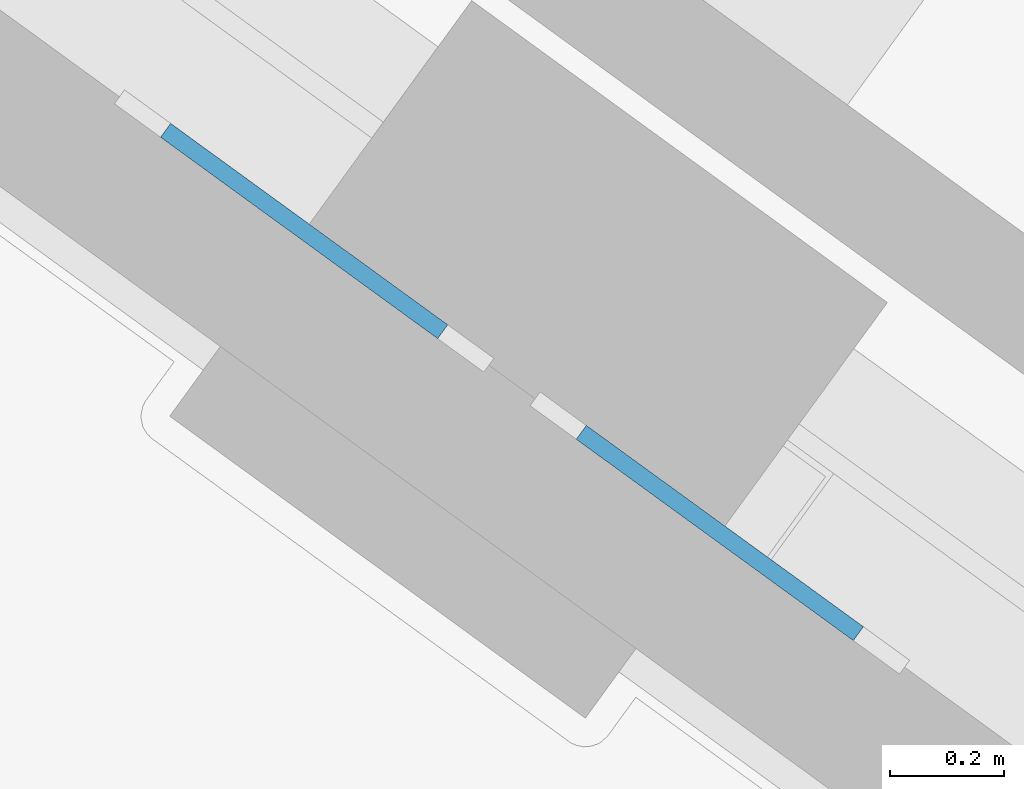
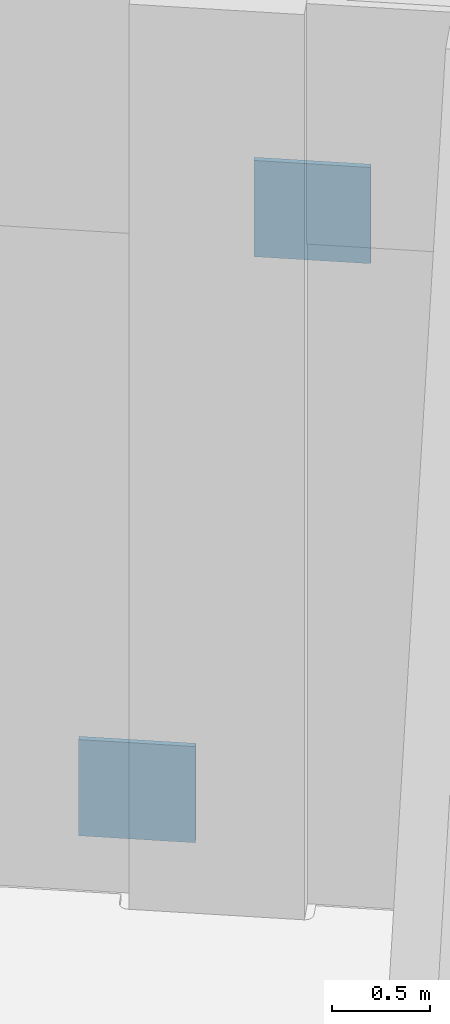
# One storey, part 8 of 16: 2 plates.
"""IFC4 building model written with IfcOpenShell, lengths in metres."""

from ifc_helpers import new_model, si_unit, direction, frame, origin, origin_2d, place, context, subcontext, project, spatial, rectangle, extrude, material, layer, layer_set, type_object, element, save


model = new_model("IFC4")

# Units and contexts
model_context = context("Model", 3, precision=1e-05, world=origin(), true_north=direction((0.0, 1.0)))
body_context = subcontext(model_context, "Body", "Model", "MODEL_VIEW")
ifc_project = project(units=[si_unit("LENGTHUNIT", "METRE"), si_unit("AREAUNIT", "SQUARE_METRE"), si_unit("VOLUMEUNIT", "CUBIC_METRE"), si_unit("PLANEANGLEUNIT", "RADIAN"), si_unit("MASSUNIT", "GRAM", prefix="KILO")], contexts=[model_context])

# Site, building, storey
site_placement = place(None, origin())
site = spatial("IfcSite", under=ifc_project, at=site_placement, CompositionType="ELEMENT")
building_placement = place(site_placement, origin())
building = spatial("IfcBuilding", under=site, at=building_placement, Name="Quipu Civic Tower", CompositionType="ELEMENT")
storey_placement = place(building_placement, frame((0.0, 0.0, 188.0)))
storey = spatial("IfcBuildingStorey", under=building, at=storey_placement, Name="L44", CompositionType="ELEMENT", Elevation=188.0)

# Plates
ifc_material = material(Name="Steel ASTM A572 Grade 50 (fy 345 MPa)", Category="steel")
ifc_layer = layer(ifc_material, 0.030029296875)
ifc_layer_set = layer_set([ifc_layer], Name="Steel ASTM A572 Grade 50 (fy 345 MPa)")
plate_type = type_object("IfcPlateType", Name="Cast in plate TD3", PredefinedType="SHEET", material=ifc_layer_set)
for number, where, z_axis, x_axis, name in (
    (1, (32.97216796875, 17.0888671875, 3.849853515625), (0.0, 0.0, 1.0), (0.809006735464, -0.587799372213, 0.0), "Cast-in plate TD3 L44 045"),
    (2, (32.243896484375, 17.617919921875, 0.17236328125), (0.0, 0.0, 1.0), (0.809006735464, -0.587799372213, 0.0), "Cast-in plate TD3 L44 048"),
):
    element("IfcPlate", number, at=place(storey_placement, frame(where, z_axis=z_axis, x_axis=x_axis)), inside=storey, type_object=plate_type, Name=name, PredefinedType="SHEET", context=body_context, shape_type="SweptSolid", body=[
        extrude(rectangle(XDim=0.60009765625, YDim=0.030029296875, at=origin_2d()), origin(), (0.0, 0.0, 1.0), 0.60009765625),
    ])

save(model, "model.ifc")
